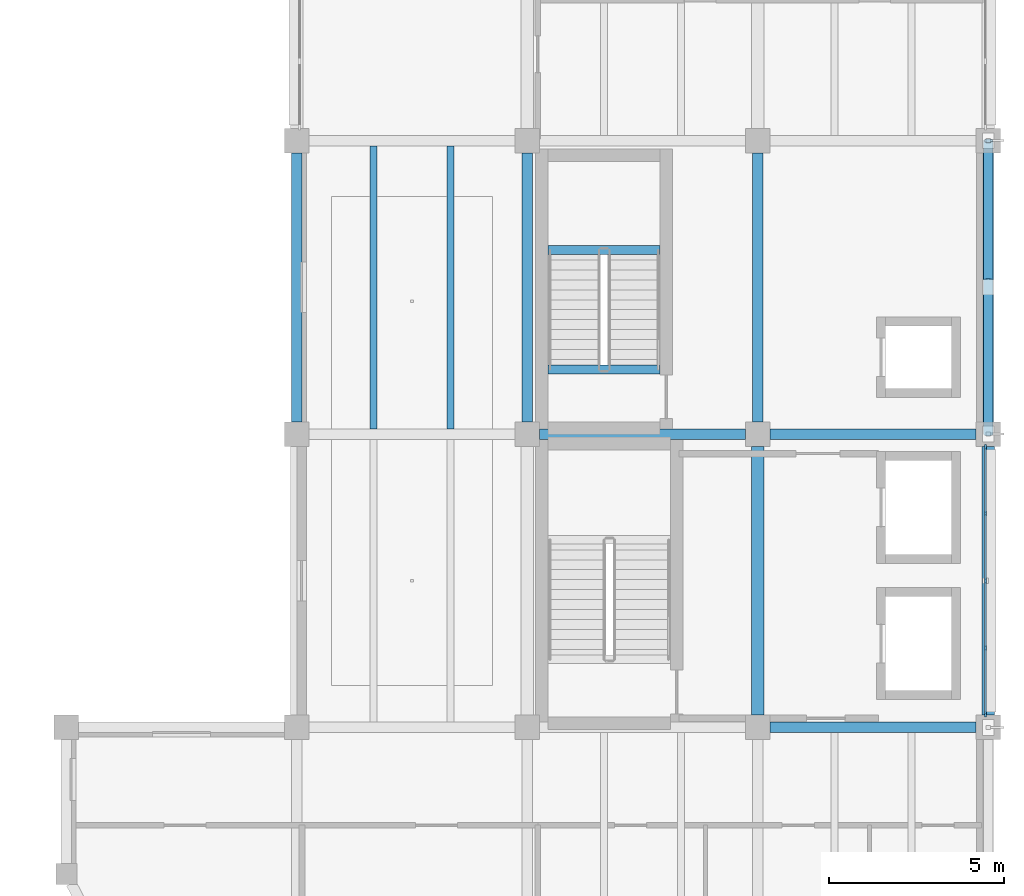
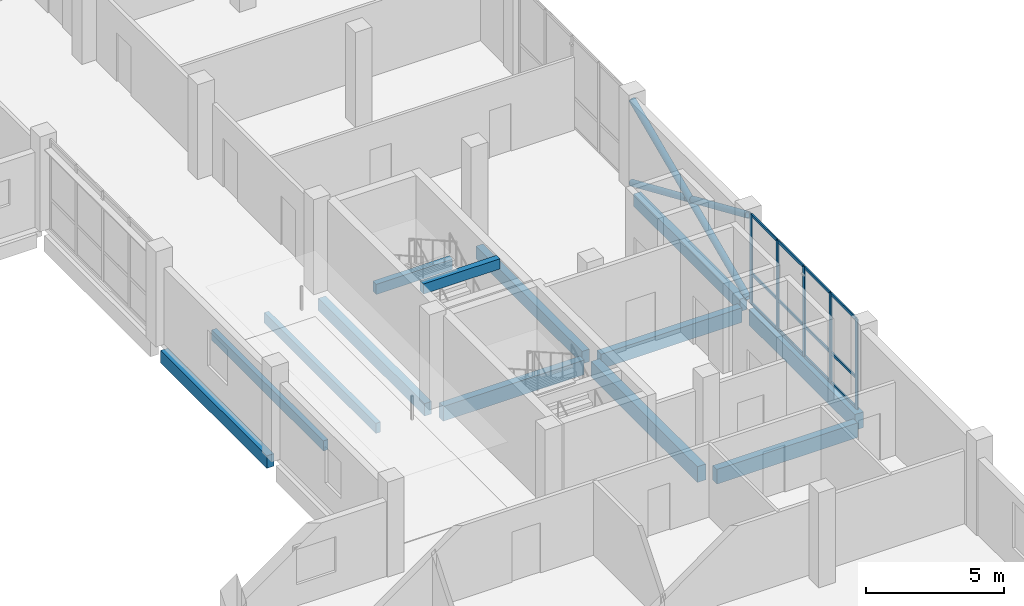
# One storey, part 3 of 19: 20 members, 13 beams, 1 element without a shape of its own.
"""IFC4 building model written with IfcOpenShell, lengths in metres."""

from ifc_helpers import new_model, si_unit, direction, frame, origin, origin_2d, place, context, subcontext, project, spatial, rectangle, hollow_circle, extrude, material, material_profile, profile_set, type_object, element, aggregate, save


model = new_model("IFC4")

# Units and contexts
model_context = context("Model", 3, precision=1e-05, world=origin(), true_north=direction((0.0, 1.0)))
body_context = subcontext(model_context, "Body", "Model", "MODEL_VIEW")
ifc_project = project(units=[si_unit("LENGTHUNIT", "METRE"), si_unit("AREAUNIT", "SQUARE_METRE"), si_unit("VOLUMEUNIT", "CUBIC_METRE"), si_unit("PLANEANGLEUNIT", "RADIAN"), si_unit("MASSUNIT", "GRAM", prefix="KILO")], contexts=[model_context])

# Site, building, storey
site_placement = place(None, origin())
site = spatial("IfcSite", under=ifc_project, at=site_placement, CompositionType="ELEMENT")
building_placement = place(site_placement, origin())
building = spatial("IfcBuilding", under=site, at=building_placement, Name="Qaldarim Faculty of Natural and Applied Sciences", CompositionType="ELEMENT")
storey_placement = place(building_placement, frame((0.0, 0.0, 27.0)))
storey = spatial("IfcBuildingStorey", under=building, at=storey_placement, Name="L06", CompositionType="ELEMENT", Elevation=27.0)

# Beams
ifc_material_1 = material(Name="Concrete C40/50", Category="concrete")
ifc_material_profile_1 = material_profile(ifc_material_1, rectangle(XDim=0.300048828125, YDim=0.550048828125, at=origin_2d()), Name="RC-B300x550")
ifc_profile_set_1 = profile_set([ifc_material_profile_1], Name="Concrete C40/50")
beam_type_1 = type_object("IfcBeamType", Name="FloorBeam-RC300x550", PredefinedType="BEAM", material=ifc_profile_set_1)
for number, where, z_axis, x_axis, name in (
    (1, (158.39990234375, 25.550048828125, -0.4951171875), (0.0, 1.0, 0.0), (-1.0, 0.0, 0.0), "Beam RC-B300x550 L05 X25/Y04-Y05"),
    (2, (165.0, 25.550048828125, -0.4951171875), (0.0, 1.0, 0.0), (-1.0, 0.0, 0.0), "Beam RC-B300x550 L05 X26/Y04-Y05"),
    (3, (171.60009765625, 25.550048828125, -0.4951171875), (0.0, 1.0, 0.0), (-1.0, 0.0, 0.0), "Beam RC-B300x550 L05 X27/Y04-Y05"),
    (4, (178.199951171875, 25.550048828125, -0.4951171875), (0.0, 1.0, 0.0), (-1.0, 0.0, 0.0), "Beam RC-B300x550 L05 X28/Y04-Y05"),
):
    element("IfcBeam", number, at=place(storey_placement, frame(where, z_axis=z_axis, x_axis=x_axis)), inside=storey, type_object=beam_type_1, Name=name, PredefinedType="BEAM", context=body_context, shape_type="SweptSolid", body=[
        extrude(rectangle(XDim=0.300048828125, YDim=0.550048828125, at=origin_2d()), origin(), (0.0, 0.0, 1.0), 7.699951171875),
    ])
ifc_material_profile_2 = material_profile(ifc_material_1, rectangle(XDim=0.199951171875, YDim=0.449951171875, at=origin_2d()), Name="RC-J200x450")
ifc_profile_set_2 = profile_set([ifc_material_profile_2], Name="Concrete C40/50")
beam_type_2 = type_object("IfcBeamType", Name="LabJoist-RC200x450", PredefinedType="JOIST", material=ifc_profile_set_2)
for number, where, z_axis, x_axis, name in (
    (5, (160.60009765625, 25.35009765625, -0.445068359375), (0.0, 1.0, 0.0), (-1.0, 0.0, 0.0), "Laboratory joist L05 bay X25Y04-1"),
    (6, (162.800048828125, 25.35009765625, -0.445068359375), (0.0, 1.0, 0.0), (-1.0, 0.0, 0.0), "Laboratory joist L05 bay X25Y04-2"),
):
    element("IfcBeam", number, at=place(storey_placement, frame(where, z_axis=z_axis, x_axis=x_axis)), inside=storey, type_object=beam_type_2, Name=name, PredefinedType="JOIST", context=body_context, shape_type="SweptSolid", body=[
        extrude(rectangle(XDim=0.199951171875, YDim=0.449951171875, at=origin_2d()), origin(), (0.0, 0.0, 1.0), 8.099853515625),
    ])
ifc_material_profile_3 = material_profile(ifc_material_1, rectangle(XDim=0.25, YDim=0.449951171875, at=origin_2d()), Name="RC-LN250x450")
ifc_profile_set_3 = profile_set([ifc_material_profile_3], Name="Concrete C40/50")
beam_type_3 = type_object("IfcBeamType", Name="LandingSupportBeam-RC250x450", PredefinedType="BEAM", material=ifc_profile_set_3)
for number, where, z_axis, x_axis, name in (
    (7, (165.60009765625, 30.469970703125, 1.6650390625), (1.0, 0.0, 0.0), (0.0, 1.0, 0.0), "Stair landing support beam ST-A2 L06"),
    (8, (165.60009765625, 27.050048828125, 3.7548828125), (1.0, 0.0, 0.0), (0.0, 1.0, 0.0), "Stair arrival support beam ST-A2 L06"),
):
    element("IfcBeam", number, at=place(storey_placement, frame(where, z_axis=z_axis, x_axis=x_axis)), inside=storey, type_object=beam_type_3, Name=name, PredefinedType="BEAM", context=body_context, shape_type="SweptSolid", body=[
        extrude(rectangle(XDim=0.25, YDim=0.449951171875, at=origin_2d()), origin(), (0.0, 0.0, 1.0), 3.199951171875),
    ])

# Curtain wall, members
ifc_material_2 = material(Name="Anodised aluminium AW-6063", Category="aluminium")
curtain_wall_type = type_object("IfcCurtainWallType", Name="CurtainWallSystem-M1800", PredefinedType="USERDEFINED", material=ifc_material_2)
curtain_wall_placement = place(storey_placement, origin())
curtain_wall = element("IfcCurtainWall", 9, at=curtain_wall_placement, inside=storey, type_object=curtain_wall_type, Name="Curtain wall CW-L06-E-X27Y03", ObjectType="UNITISED FACADE", PredefinedType="USERDEFINED")
ifc_material_profile_4 = material_profile(ifc_material_2, rectangle(XDim=0.06005859375, YDim=0.14990234375, at=origin_2d()), Name="ALU-M60x150")
ifc_profile_set_4 = profile_set([ifc_material_profile_4], Name="Anodised aluminium AW-6063")
member_type_1 = type_object("IfcMemberType", Name="Mullion-ALU60x150", PredefinedType="MULLION", material=ifc_profile_set_4)
member_1_placement = place(storey_placement, frame((178.1201171875, 17.175048828125, 0.0), z_axis=(0.0, 0.0, 1.0), x_axis=(-1.0, 0.0, 0.0)))
member_1 = element("IfcMember", 10, at=member_1_placement, type_object=member_type_1, Name="Mullion 1 of CW-L06-E-X27Y03", PredefinedType="MULLION", context=body_context, shape_type="SweptSolid", body=[
    extrude(rectangle(XDim=0.06005859375, YDim=0.14990234375, at=origin_2d()), origin(), (0.0, 0.0, 1.0), 3.97998046875),
])
member_2_placement = place(storey_placement, frame((178.1201171875, 19.072509765625, 0.0), z_axis=(0.0, 0.0, 1.0), x_axis=(-1.0, 0.0, 0.0)))
member_2 = element("IfcMember", 11, at=member_2_placement, type_object=member_type_1, Name="Mullion 2 of CW-L06-E-X27Y03", PredefinedType="MULLION", context=body_context, shape_type="SweptSolid", body=[
    extrude(rectangle(XDim=0.06005859375, YDim=0.14990234375, at=origin_2d()), origin(), (0.0, 0.0, 1.0), 3.97998046875),
])
member_3_placement = place(storey_placement, frame((178.1201171875, 21.0, 0.0), z_axis=(0.0, 0.0, 1.0), x_axis=(-1.0, 0.0, 0.0)))
member_3 = element("IfcMember", 12, at=member_3_placement, type_object=member_type_1, Name="Mullion 3 of CW-L06-E-X27Y03", PredefinedType="MULLION", context=body_context, shape_type="SweptSolid", body=[
    extrude(rectangle(XDim=0.06005859375, YDim=0.14990234375, at=origin_2d()), origin(), (0.0, 0.0, 1.0), 3.97998046875),
])
member_4_placement = place(storey_placement, frame((178.1201171875, 22.927490234375, 0.0), z_axis=(0.0, 0.0, 1.0), x_axis=(-1.0, 0.0, 0.0)))
member_4 = element("IfcMember", 13, at=member_4_placement, type_object=member_type_1, Name="Mullion 4 of CW-L06-E-X27Y03", PredefinedType="MULLION", context=body_context, shape_type="SweptSolid", body=[
    extrude(rectangle(XDim=0.06005859375, YDim=0.14990234375, at=origin_2d()), origin(), (0.0, 0.0, 1.0), 3.97998046875),
])
member_5_placement = place(storey_placement, frame((178.1201171875, 24.824951171875, 0.0), z_axis=(0.0, 0.0, 1.0), x_axis=(-1.0, 0.0, 0.0)))
member_5 = element("IfcMember", 14, at=member_5_placement, type_object=member_type_1, Name="Mullion 5 of CW-L06-E-X27Y03", PredefinedType="MULLION", context=body_context, shape_type="SweptSolid", body=[
    extrude(rectangle(XDim=0.06005859375, YDim=0.14990234375, at=origin_2d()), origin(), (0.0, 0.0, 1.0), 3.97998046875),
])

# Members
ifc_material_3 = material(Name="Structural steel S355", Category="steel")
ifc_material_profile_5 = material_profile(ifc_material_3, hollow_circle(Radius=0.136474609375, WallThickness=0.01611328125, at=origin_2d()), Name="CHS 273.0x16.0")
ifc_profile_set_5 = profile_set([ifc_material_profile_5], Name="Structural steel S355")
member_type_2 = type_object("IfcMemberType", Name="PortalBrace-CHS273x16", PredefinedType="BRACE", material=ifc_profile_set_5)
member_6_placement = place(storey_placement, frame((178.199951171875, 25.199951171875, 0.0), z_axis=(0.0, 0.915962323067, 0.401264280396), x_axis=(-1.0, 0.0, 0.0)))
element("IfcMember", 15, at=member_6_placement, inside=storey, type_object=member_type_2, Name="Upper east diagrid L06 primary brace L", PredefinedType="BRACE", context=body_context, shape_type="SweptSolid", body=[
    extrude(hollow_circle(Radius=0.136474609375, WallThickness=0.01611328125, at=origin_2d()), origin(), (0.0, 0.0, 1.0), 9.1708984375),
])
for number, where, z_axis, x_axis, name in (
    (16, (178.199951171875, 33.60009765625, 0.0), (0.0, -0.916157334902, 0.40081883402), (1.0, 0.0, 0.0), "Upper east diagrid L06 split secondary lower brace R1"),
    (17, (178.199951171875, 29.199951171875, 1.929931640625), (0.0, -0.916157334902, 0.40081883402), (1.0, 0.0, 0.0), "Upper east diagrid L06 split secondary upper brace R2"),
):
    element("IfcMember", number, at=place(storey_placement, frame(where, z_axis=z_axis, x_axis=x_axis)), inside=storey, type_object=member_type_2, Name=name, PredefinedType="BRACE", context=body_context, shape_type="SweptSolid", body=[
        extrude(hollow_circle(Radius=0.136474609375, WallThickness=0.01611328125, at=origin_2d()), origin(), (0.0, 0.0, 1.0), 4.365966796875),
    ])

# Beams
ifc_material_profile_6 = material_profile(ifc_material_1, rectangle(XDim=0.300048828125, YDim=0.64990234375, at=origin_2d()), Name="RC-B300x650")
ifc_profile_set_6 = profile_set([ifc_material_profile_6], Name="Concrete C40/50")
beam_type_4 = type_object("IfcBeamType", Name="PrimaryBeam-RC300x650", PredefinedType="BEAM", material=ifc_profile_set_6)
beam_1_placement = place(storey_placement, frame((171.949951171875, 16.800048828125, -0.544921875), z_axis=(1.0, 0.0, 0.0), x_axis=(0.0, 1.0, 0.0)))
element("IfcBeam", 18, at=beam_1_placement, inside=storey, type_object=beam_type_4, Name="Beam RC-B300x650 L05 X27-X28/Y03", PredefinedType="BEAM", context=body_context, shape_type="SweptSolid", body=[
    extrude(rectangle(XDim=0.300048828125, YDim=0.64990234375, at=origin_2d()), origin(), (0.0, 0.0, 1.0), 5.900146484375),
])
beam_2_placement = place(storey_placement, frame((165.35009765625, 25.199951171875, -0.544921875), z_axis=(1.0, 0.0, 0.0), x_axis=(0.0, 1.0, 0.0)))
element("IfcBeam", 19, at=beam_2_placement, inside=storey, type_object=beam_type_4, Name="Beam RC-B300x650 L05 X26-X27/Y04", PredefinedType="BEAM", context=body_context, shape_type="SweptSolid", body=[
    extrude(rectangle(XDim=0.300048828125, YDim=0.64990234375, at=origin_2d()), origin(), (0.0, 0.0, 1.0), 5.89990234375),
])
beam_3_placement = place(storey_placement, frame((171.949951171875, 25.199951171875, -0.544921875), z_axis=(1.0, 0.0, 0.0), x_axis=(0.0, 1.0, 0.0)))
element("IfcBeam", 20, at=beam_3_placement, inside=storey, type_object=beam_type_4, Name="Beam RC-B300x650 L05 X27-X28/Y04", PredefinedType="BEAM", context=body_context, shape_type="SweptSolid", body=[
    extrude(rectangle(XDim=0.300048828125, YDim=0.64990234375, at=origin_2d()), origin(), (0.0, 0.0, 1.0), 5.900146484375),
])
ifc_material_profile_7 = material_profile(ifc_material_1, rectangle(XDim=0.35009765625, YDim=0.699951171875, at=origin_2d()), Name="RC-B350x700")
ifc_profile_set_7 = profile_set([ifc_material_profile_7], Name="Concrete C40/50")
beam_type_5 = type_object("IfcBeamType", Name="PrimaryGirder-RC350x700", PredefinedType="BEAM", material=ifc_profile_set_7)
for number, where, z_axis, x_axis, name in (
    (21, (171.60009765625, 17.14990234375, -0.570068359375), (0.0, 1.0, 0.0), (-1.0, 0.0, 0.0), "Beam RC-B350x700 L05 X27/Y03-Y04"),
    (22, (178.199951171875, 17.14990234375, -0.570068359375), (0.0, 1.0, 0.0), (-1.0, 0.0, 0.0), "Beam RC-B350x700 L05 X28/Y03-Y04"),
):
    element("IfcBeam", number, at=place(storey_placement, frame(where, z_axis=z_axis, x_axis=x_axis)), inside=storey, type_object=beam_type_5, Name=name, PredefinedType="BEAM", context=body_context, shape_type="SweptSolid", body=[
        extrude(rectangle(XDim=0.35009765625, YDim=0.699951171875, at=origin_2d()), origin(), (0.0, 0.0, 1.0), 7.7001953125),
    ])

# Member
ifc_material_profile_8 = material_profile(ifc_material_2, rectangle(XDim=0.06005859375, YDim=0.1201171875, at=origin_2d()), Name="ALU-T60x120")
ifc_profile_set_8 = profile_set([ifc_material_profile_8], Name="Anodised aluminium AW-6063")
member_type_3 = type_object("IfcMemberType", Name="Transom-ALU60x120", PredefinedType="USERDEFINED", material=ifc_profile_set_8)
member_7_placement = place(storey_placement, frame((178.1201171875, 17.205078125, 0.030029296875), z_axis=(0.0, 1.0, 0.0), x_axis=(-1.0, 0.0, 0.0)))
member_7 = element("IfcMember", 23, at=member_7_placement, type_object=member_type_3, Name="Transom 1-1 of CW-L06-E-X27Y03", ObjectType="TRANSOM", PredefinedType="USERDEFINED", context=body_context, shape_type="SweptSolid", body=[
    extrude(rectangle(XDim=0.06005859375, YDim=0.1201171875, at=origin_2d()), origin(), (0.0, 0.0, 1.0), 1.83740234375),
])

member_8_placement = place(storey_placement, frame((178.1201171875, 17.205078125, 1.35009765625), z_axis=(0.0, 1.0, 0.0), x_axis=(-1.0, 0.0, 0.0)))
member_8 = element("IfcMember", 24, at=member_8_placement, type_object=member_type_3, Name="Transom 1-2 of CW-L06-E-X27Y03", ObjectType="TRANSOM", PredefinedType="USERDEFINED", context=body_context, shape_type="SweptSolid", body=[
    extrude(rectangle(XDim=0.06005859375, YDim=0.1201171875, at=origin_2d()), origin(), (0.0, 0.0, 1.0), 1.83740234375),
])

member_9_placement = place(storey_placement, frame((178.1201171875, 17.205078125, 3.949951171875), z_axis=(0.0, 1.0, 0.0), x_axis=(-1.0, 0.0, 0.0)))
member_9 = element("IfcMember", 25, at=member_9_placement, type_object=member_type_3, Name="Transom 1-3 of CW-L06-E-X27Y03", ObjectType="TRANSOM", PredefinedType="USERDEFINED", context=body_context, shape_type="SweptSolid", body=[
    extrude(rectangle(XDim=0.06005859375, YDim=0.1201171875, at=origin_2d()), origin(), (0.0, 0.0, 1.0), 1.83740234375),
])

member_10_placement = place(storey_placement, frame((178.1201171875, 19.1025390625, 0.030029296875), z_axis=(0.0, 1.0, 0.0), x_axis=(-1.0, 0.0, 0.0)))
member_10 = element("IfcMember", 26, at=member_10_placement, type_object=member_type_3, Name="Transom 2-1 of CW-L06-E-X27Y03", ObjectType="TRANSOM", PredefinedType="USERDEFINED", context=body_context, shape_type="SweptSolid", body=[
    extrude(rectangle(XDim=0.06005859375, YDim=0.1201171875, at=origin_2d()), origin(), (0.0, 0.0, 1.0), 1.867431640625),
])

member_11_placement = place(storey_placement, frame((178.1201171875, 19.1025390625, 1.35009765625), z_axis=(0.0, 1.0, 0.0), x_axis=(-1.0, 0.0, 0.0)))
member_11 = element("IfcMember", 27, at=member_11_placement, type_object=member_type_3, Name="Transom 2-2 of CW-L06-E-X27Y03", ObjectType="TRANSOM", PredefinedType="USERDEFINED", context=body_context, shape_type="SweptSolid", body=[
    extrude(rectangle(XDim=0.06005859375, YDim=0.1201171875, at=origin_2d()), origin(), (0.0, 0.0, 1.0), 1.867431640625),
])

member_12_placement = place(storey_placement, frame((178.1201171875, 19.1025390625, 3.949951171875), z_axis=(0.0, 1.0, 0.0), x_axis=(-1.0, 0.0, 0.0)))
member_12 = element("IfcMember", 28, at=member_12_placement, type_object=member_type_3, Name="Transom 2-3 of CW-L06-E-X27Y03", ObjectType="TRANSOM", PredefinedType="USERDEFINED", context=body_context, shape_type="SweptSolid", body=[
    extrude(rectangle(XDim=0.06005859375, YDim=0.1201171875, at=origin_2d()), origin(), (0.0, 0.0, 1.0), 1.867431640625),
])

member_13_placement = place(storey_placement, frame((178.1201171875, 21.030029296875, 0.030029296875), z_axis=(0.0, 1.0, 0.0), x_axis=(-1.0, 0.0, 0.0)))
member_13 = element("IfcMember", 29, at=member_13_placement, type_object=member_type_3, Name="Transom 3-1 of CW-L06-E-X27Y03", ObjectType="TRANSOM", PredefinedType="USERDEFINED", context=body_context, shape_type="SweptSolid", body=[
    extrude(rectangle(XDim=0.06005859375, YDim=0.1201171875, at=origin_2d()), origin(), (0.0, 0.0, 1.0), 1.867431640625),
])

member_14_placement = place(storey_placement, frame((178.1201171875, 21.030029296875, 1.35009765625), z_axis=(0.0, 1.0, 0.0), x_axis=(-1.0, 0.0, 0.0)))
member_14 = element("IfcMember", 30, at=member_14_placement, type_object=member_type_3, Name="Transom 3-2 of CW-L06-E-X27Y03", ObjectType="TRANSOM", PredefinedType="USERDEFINED", context=body_context, shape_type="SweptSolid", body=[
    extrude(rectangle(XDim=0.06005859375, YDim=0.1201171875, at=origin_2d()), origin(), (0.0, 0.0, 1.0), 1.867431640625),
])

member_15_placement = place(storey_placement, frame((178.1201171875, 21.030029296875, 3.949951171875), z_axis=(0.0, 1.0, 0.0), x_axis=(-1.0, 0.0, 0.0)))
member_15 = element("IfcMember", 31, at=member_15_placement, type_object=member_type_3, Name="Transom 3-3 of CW-L06-E-X27Y03", ObjectType="TRANSOM", PredefinedType="USERDEFINED", context=body_context, shape_type="SweptSolid", body=[
    extrude(rectangle(XDim=0.06005859375, YDim=0.1201171875, at=origin_2d()), origin(), (0.0, 0.0, 1.0), 1.867431640625),
])

member_16_placement = place(storey_placement, frame((178.1201171875, 22.95751953125, 0.030029296875), z_axis=(0.0, 1.0, 0.0), x_axis=(-1.0, 0.0, 0.0)))
member_16 = element("IfcMember", 32, at=member_16_placement, type_object=member_type_3, Name="Transom 4-1 of CW-L06-E-X27Y03", ObjectType="TRANSOM", PredefinedType="USERDEFINED", context=body_context, shape_type="SweptSolid", body=[
    extrude(rectangle(XDim=0.06005859375, YDim=0.1201171875, at=origin_2d()), origin(), (0.0, 0.0, 1.0), 1.83740234375),
])

member_17_placement = place(storey_placement, frame((178.1201171875, 22.95751953125, 1.35009765625), z_axis=(0.0, 1.0, 0.0), x_axis=(-1.0, 0.0, 0.0)))
member_17 = element("IfcMember", 33, at=member_17_placement, type_object=member_type_3, Name="Transom 4-2 of CW-L06-E-X27Y03", ObjectType="TRANSOM", PredefinedType="USERDEFINED", context=body_context, shape_type="SweptSolid", body=[
    extrude(rectangle(XDim=0.06005859375, YDim=0.1201171875, at=origin_2d()), origin(), (0.0, 0.0, 1.0), 1.83740234375),
])

member_18_placement = place(storey_placement, frame((178.1201171875, 22.95751953125, 3.949951171875), z_axis=(0.0, 1.0, 0.0), x_axis=(-1.0, 0.0, 0.0)))
member_18 = element("IfcMember", 34, at=member_18_placement, type_object=member_type_3, Name="Transom 4-3 of CW-L06-E-X27Y03", ObjectType="TRANSOM", PredefinedType="USERDEFINED", context=body_context, shape_type="SweptSolid", body=[
    extrude(rectangle(XDim=0.06005859375, YDim=0.1201171875, at=origin_2d()), origin(), (0.0, 0.0, 1.0), 1.83740234375),
])

aggregate(curtain_wall, [member_1, member_2, member_3, member_4, member_5, member_7, member_8, member_9, member_10, member_11, member_12, member_13, member_14, member_15, member_16, member_17, member_18])

save(model, "model.ifc")
